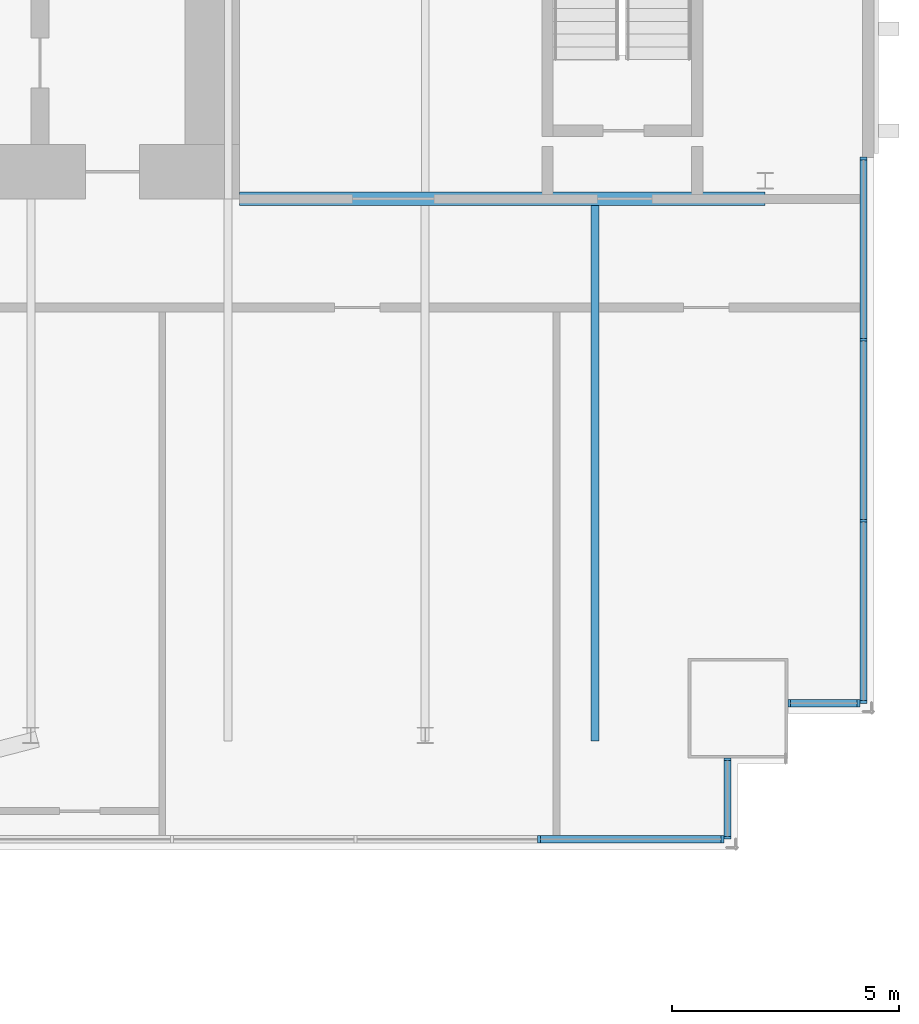
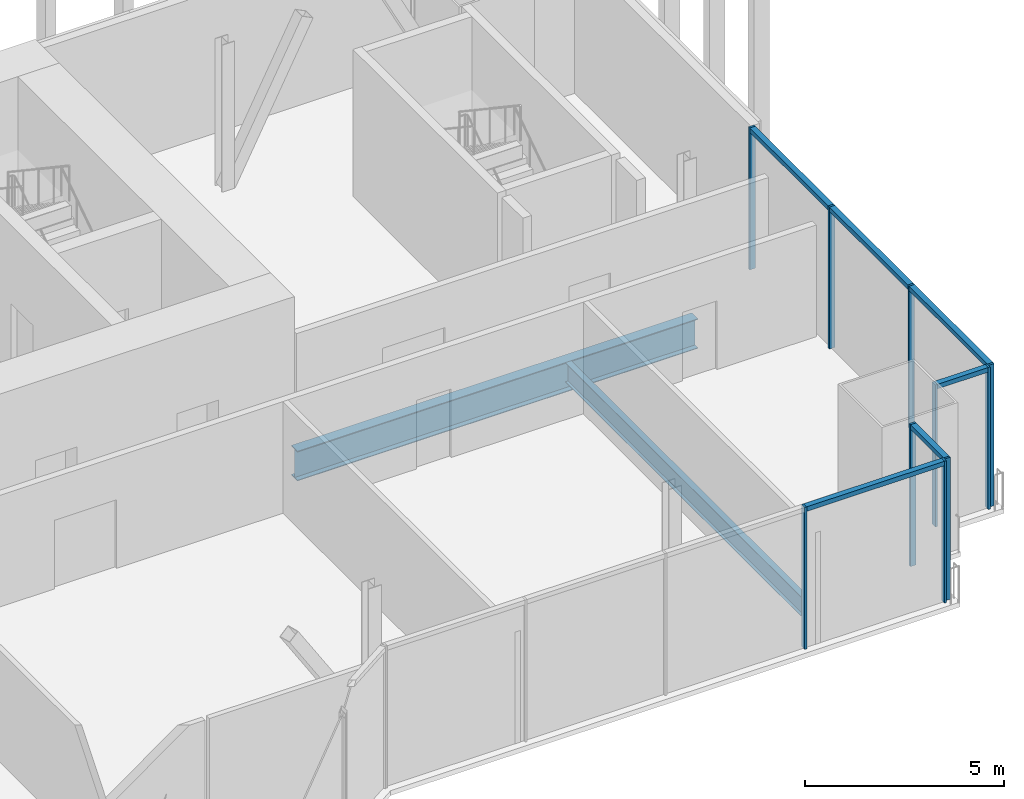
# One storey, part 12 of 22: 16 members, 2 beams, 4 elements without a shape of their own.
"""IFC4 building model written with IfcOpenShell, lengths in metres."""

from ifc_helpers import new_model, si_unit, direction, frame, origin, origin_2d, place, context, subcontext, project, spatial, rectangle, i_section, extrude, material, material_profile, profile_set, type_object, element, aggregate, save


model = new_model("IFC4")

# Units and contexts
model_context = context("Model", 3, precision=1e-05, world=origin(), true_north=direction((0.0, 1.0)))
body_context = subcontext(model_context, "Body", "Model", "MODEL_VIEW")
ifc_project = project(units=[si_unit("LENGTHUNIT", "METRE"), si_unit("AREAUNIT", "SQUARE_METRE"), si_unit("VOLUMEUNIT", "CUBIC_METRE"), si_unit("PLANEANGLEUNIT", "RADIAN"), si_unit("MASSUNIT", "GRAM", prefix="KILO")], contexts=[model_context])

# Site, building, storey
site_placement = place(None, origin())
site = spatial("IfcSite", under=ifc_project, at=site_placement, CompositionType="ELEMENT")
building_placement = place(site_placement, origin())
building = spatial("IfcBuilding", under=site, at=building_placement, Name="Bicima Exchange Tower", CompositionType="ELEMENT")
storey_placement = place(building_placement, frame((0.0, 0.0, 293.0)))
storey = spatial("IfcBuildingStorey", under=building, at=storey_placement, Name="L66", CompositionType="ELEMENT", Elevation=293.0)

# Beam
ifc_material_1 = material(Name="Steel ASTM A992 Gr 50", Category="steel")
ifc_material_profile_1 = material_profile(ifc_material_1, i_section(OverallWidth=0.3046875, OverallDepth=0.911865234375, WebThickness=0.015869140625, FlangeThickness=0.02392578125, at=origin_2d()))
ifc_profile_set_1 = profile_set([ifc_material_profile_1], Name="Steel ASTM A992 Gr 50")
beam_type_1 = type_object("IfcBeamType", Name="Core-line girder W36x150", PredefinedType="BEAM", material=ifc_profile_set_1)
beam_1_placement = place(storey_placement, frame((22.0, -13.0, -0.60595703125), z_axis=(1.0, 0.0, 0.0), x_axis=(0.0, 1.0, 0.0)))
element("IfcBeam", 1, at=beam_1_placement, inside=storey, type_object=beam_type_1, Name="Core-line girder", PredefinedType="BEAM", context=body_context, shape_type="SweptSolid", body=[
    extrude(i_section(OverallWidth=0.3046875, OverallDepth=0.911865234375, WebThickness=0.015869140625, FlangeThickness=0.02392578125, at=origin_2d()), origin(), (0.0, 0.0, 1.0), 11.60009765625),
])

# Curtain wall, members
ifc_material_2 = material(Name="Anodised bronze aluminium", Category="aluminium")
curtain_wall_type_1 = type_object("IfcCurtainWallType", Name="End face glass wall", PredefinedType="NOTDEFINED", material=ifc_material_2)
curtain_wall_1_placement = place(storey_placement, origin())
curtain_wall_1 = element("IfcCurtainWall", 2, at=curtain_wall_1_placement, inside=storey, type_object=curtain_wall_type_1, Name="End face glass wall L66 run 19", PredefinedType="NOTDEFINED")
ifc_material_profile_2 = material_profile(ifc_material_2, rectangle(XDim=0.159912109375, YDim=0.06005859375, at=origin_2d()))
ifc_profile_set_2 = profile_set([ifc_material_profile_2], Name="Anodised bronze aluminium")
member_type_1 = type_object("IfcMemberType", Name="End face glass wall mullion 60 x 160", PredefinedType="MULLION", material=ifc_profile_set_2)
member_1_placement = place(storey_placement, frame((35.77001953125, -24.10009765625, 0.0), z_axis=(0.0, 0.0, 1.0), x_axis=(-1.0, 0.0, 0.0)))
member_1 = element("IfcMember", 3, at=member_1_placement, type_object=member_type_1, Name="End face glass wall mullion 1", PredefinedType="MULLION", context=body_context, shape_type="SweptSolid", body=[
    extrude(rectangle(XDim=0.159912109375, YDim=0.06005859375, at=origin_2d()), origin(), (0.0, 0.0, 1.0), 4.35009765625),
])
member_2_placement = place(storey_placement, frame((35.77001953125, -20.103271484375, 0.0), z_axis=(0.0, 0.0, 1.0), x_axis=(-1.0, 0.0, 0.0)))
member_2 = element("IfcMember", 4, at=member_2_placement, type_object=member_type_1, Name="End face glass wall mullion 2", PredefinedType="MULLION", context=body_context, shape_type="SweptSolid", body=[
    extrude(rectangle(XDim=0.159912109375, YDim=0.06005859375, at=origin_2d()), origin(), (0.0, 0.0, 1.0), 4.35009765625),
])
member_3_placement = place(storey_placement, frame((35.77001953125, -16.106689453125, 0.0), z_axis=(0.0, 0.0, 1.0), x_axis=(-1.0, 0.0, 0.0)))
member_3 = element("IfcMember", 5, at=member_3_placement, type_object=member_type_1, Name="End face glass wall mullion 3", PredefinedType="MULLION", context=body_context, shape_type="SweptSolid", body=[
    extrude(rectangle(XDim=0.159912109375, YDim=0.06005859375, at=origin_2d()), origin(), (0.0, 0.0, 1.0), 4.35009765625),
])
member_4_placement = place(storey_placement, frame((35.77001953125, -12.110107421875, 0.0), z_axis=(0.0, 0.0, 1.0), x_axis=(-1.0, 0.0, 0.0)))
member_4 = element("IfcMember", 6, at=member_4_placement, type_object=member_type_1, Name="End face glass wall mullion 4", PredefinedType="MULLION", context=body_context, shape_type="SweptSolid", body=[
    extrude(rectangle(XDim=0.159912109375, YDim=0.06005859375, at=origin_2d()), origin(), (0.0, 0.0, 1.0), 4.35009765625),
])
ifc_material_profile_3 = material_profile(ifc_material_2, rectangle(XDim=0.159912109375, YDim=0.139892578125, at=origin_2d()))
ifc_profile_set_3 = profile_set([ifc_material_profile_3], Name="Anodised bronze aluminium")
member_type_2 = type_object("IfcMemberType", Name="End face glass wall transom 140 x 160", PredefinedType="USERDEFINED", material=ifc_profile_set_3)
member_5_placement = place(storey_placement, frame((35.77001953125, -24.070068359375, 4.280029296875), z_axis=(0.0, 1.0, 0.0), x_axis=(-1.0, 0.0, 0.0)))
member_5 = element("IfcMember", 7, at=member_5_placement, type_object=member_type_2, Name="End face glass wall transom 1.1", ObjectType="TRANSOM", PredefinedType="USERDEFINED", context=body_context, shape_type="SweptSolid", body=[
    extrude(rectangle(XDim=0.159912109375, YDim=0.139892578125, at=origin_2d()), origin(), (0.0, 0.0, 1.0), 3.936767578125),
])
member_6_placement = place(storey_placement, frame((35.77001953125, -20.0732421875, 4.280029296875), z_axis=(0.0, 1.0, 0.0), x_axis=(-1.0, 0.0, 0.0)))
member_6 = element("IfcMember", 8, at=member_6_placement, type_object=member_type_2, Name="End face glass wall transom 2.1", ObjectType="TRANSOM", PredefinedType="USERDEFINED", context=body_context, shape_type="SweptSolid", body=[
    extrude(rectangle(XDim=0.159912109375, YDim=0.139892578125, at=origin_2d()), origin(), (0.0, 0.0, 1.0), 3.9365234375),
])
member_7_placement = place(storey_placement, frame((35.77001953125, -16.07666015625, 4.280029296875), z_axis=(0.0, 1.0, 0.0), x_axis=(-1.0, 0.0, 0.0)))
member_7 = element("IfcMember", 9, at=member_7_placement, type_object=member_type_2, Name="End face glass wall transom 3.1", ObjectType="TRANSOM", PredefinedType="USERDEFINED", context=body_context, shape_type="SweptSolid", body=[
    extrude(rectangle(XDim=0.159912109375, YDim=0.139892578125, at=origin_2d()), origin(), (0.0, 0.0, 1.0), 3.936767578125),
])
aggregate(curtain_wall_1, [member_1, member_2, member_3, member_4, member_5, member_6, member_7])

# Beam
ifc_material_profile_4 = material_profile(ifc_material_1, i_section(OverallWidth=0.177978515625, OverallDepth=0.599365234375, WebThickness=0.010009765625, FlangeThickness=0.012939453125, at=origin_2d()))
ifc_profile_set_4 = profile_set([ifc_material_profile_4], Name="Steel ASTM A992 Gr 50")
beam_type_2 = type_object("IfcBeamType", Name="Floor beam W24x55", PredefinedType="JOIST", material=ifc_profile_set_4)
beam_2_placement = place(storey_placement, frame((29.85009765625, -13.15234375, -0.44970703125), z_axis=(0.0, -1.0, 0.0), x_axis=(1.0, 0.0, 0.0)))
element("IfcBeam", 10, at=beam_2_placement, inside=storey, type_object=beam_type_2, Name="Floor beam", PredefinedType="JOIST", context=body_context, shape_type="SweptSolid", body=[
    extrude(i_section(OverallWidth=0.177978515625, OverallDepth=0.599365234375, WebThickness=0.010009765625, FlangeThickness=0.012939453125, at=origin_2d()), origin(), (0.0, 0.0, 1.0), 11.8076171875),
])

# Curtain wall, members
curtain_wall_type_2 = type_object("IfcCurtainWallType", Name="Front glass wall", PredefinedType="NOTDEFINED", material=ifc_material_2)
curtain_wall_2_placement = place(storey_placement, origin())
curtain_wall_2 = element("IfcCurtainWall", 11, at=curtain_wall_2_placement, inside=storey, type_object=curtain_wall_type_2, Name="Front glass wall L66 run 16", PredefinedType="NOTDEFINED")
member_type_3 = type_object("IfcMemberType", Name="Front glass wall mullion 60 x 160", PredefinedType="MULLION", material=ifc_profile_set_2)
member_8_placement = place(storey_placement, frame((28.610595703125, -27.1298828125, 0.0), z_axis=(0.0, 0.0, 1.0), x_axis=(0.0, 1.0, 0.0)))
member_8 = element("IfcMember", 12, at=member_8_placement, type_object=member_type_3, Name="Front glass wall mullion 4", PredefinedType="MULLION", context=body_context, shape_type="SweptSolid", body=[
    extrude(rectangle(XDim=0.159912109375, YDim=0.06005859375, at=origin_2d()), origin(), (0.0, 0.0, 1.0), 4.35009765625),
])
member_9_placement = place(storey_placement, frame((32.659912109375, -27.1298828125, 0.0), z_axis=(0.0, 0.0, 1.0), x_axis=(0.0, 1.0, 0.0)))
member_9 = element("IfcMember", 13, at=member_9_placement, type_object=member_type_3, Name="Front glass wall mullion 5", PredefinedType="MULLION", context=body_context, shape_type="SweptSolid", body=[
    extrude(rectangle(XDim=0.159912109375, YDim=0.06005859375, at=origin_2d()), origin(), (0.0, 0.0, 1.0), 4.35009765625),
])

curtain_wall_3_placement = place(storey_placement, origin())
curtain_wall_3 = element("IfcCurtainWall", 14, at=curtain_wall_3_placement, inside=storey, type_object=curtain_wall_type_2, Name="Front glass wall L66 run 17", PredefinedType="NOTDEFINED")
member_10_placement = place(storey_placement, frame((32.77001953125, -27.10009765625, 0.0), z_axis=(0.0, 0.0, 1.0), x_axis=(-1.0, 0.0, 0.0)))
member_10 = element("IfcMember", 15, at=member_10_placement, type_object=member_type_3, Name="Front glass wall mullion 1", PredefinedType="MULLION", context=body_context, shape_type="SweptSolid", body=[
    extrude(rectangle(XDim=0.159912109375, YDim=0.06005859375, at=origin_2d()), origin(), (0.0, 0.0, 1.0), 4.35009765625),
])
member_11_placement = place(storey_placement, frame((32.77001953125, -25.367919921875, 0.0), z_axis=(0.0, 0.0, 1.0), x_axis=(-1.0, 0.0, 0.0)))
member_11 = element("IfcMember", 16, at=member_11_placement, type_object=member_type_3, Name="Front glass wall mullion 2", PredefinedType="MULLION", context=body_context, shape_type="SweptSolid", body=[
    extrude(rectangle(XDim=0.159912109375, YDim=0.06005859375, at=origin_2d()), origin(), (0.0, 0.0, 1.0), 4.35009765625),
])

curtain_wall_4_placement = place(storey_placement, origin())
curtain_wall_4 = element("IfcCurtainWall", 17, at=curtain_wall_4_placement, inside=storey, type_object=curtain_wall_type_2, Name="Front glass wall L66 run 18", PredefinedType="NOTDEFINED")
member_12_placement = place(storey_placement, frame((34.1298828125, -24.1298828125, 0.0), z_axis=(0.0, 0.0, 1.0), x_axis=(0.0, 1.0, 0.0)))
member_12 = element("IfcMember", 18, at=member_12_placement, type_object=member_type_3, Name="Front glass wall mullion 1", PredefinedType="MULLION", context=body_context, shape_type="SweptSolid", body=[
    extrude(rectangle(XDim=0.159912109375, YDim=0.06005859375, at=origin_2d()), origin(), (0.0, 0.0, 1.0), 4.35009765625),
])
member_13_placement = place(storey_placement, frame((35.659912109375, -24.1298828125, 0.0), z_axis=(0.0, 0.0, 1.0), x_axis=(0.0, 1.0, 0.0)))
member_13 = element("IfcMember", 19, at=member_13_placement, type_object=member_type_3, Name="Front glass wall mullion 2", PredefinedType="MULLION", context=body_context, shape_type="SweptSolid", body=[
    extrude(rectangle(XDim=0.159912109375, YDim=0.06005859375, at=origin_2d()), origin(), (0.0, 0.0, 1.0), 4.35009765625),
])

# Member
member_type_4 = type_object("IfcMemberType", Name="Front glass wall transom 140 x 160", PredefinedType="USERDEFINED", material=ifc_profile_set_3)
member_14_placement = place(storey_placement, frame((28.640380859375, -27.1298828125, 4.280029296875), z_axis=(1.0, 0.0, 0.0), x_axis=(0.0, 1.0, 0.0)))
member_14 = element("IfcMember", 20, at=member_14_placement, type_object=member_type_4, Name="Front glass wall transom 4.1", ObjectType="TRANSOM", PredefinedType="USERDEFINED", context=body_context, shape_type="SweptSolid", body=[
    extrude(rectangle(XDim=0.159912109375, YDim=0.139892578125, at=origin_2d()), origin(), (0.0, 0.0, 1.0), 3.989501953125),
])

aggregate(curtain_wall_2, [member_8, member_9, member_14])

member_15_placement = place(storey_placement, frame((32.77001953125, -27.070068359375, 4.280029296875), z_axis=(0.0, 1.0, 0.0), x_axis=(-1.0, 0.0, 0.0)))
member_15 = element("IfcMember", 21, at=member_15_placement, type_object=member_type_4, Name="Front glass wall transom 1.1", ObjectType="TRANSOM", PredefinedType="USERDEFINED", context=body_context, shape_type="SweptSolid", body=[
    extrude(rectangle(XDim=0.159912109375, YDim=0.139892578125, at=origin_2d()), origin(), (0.0, 0.0, 1.0), 1.672119140625),
])

aggregate(curtain_wall_3, [member_10, member_11, member_15])

member_16_placement = place(storey_placement, frame((34.159912109375, -24.1298828125, 4.280029296875), z_axis=(1.0, 0.0, 0.0), x_axis=(0.0, 1.0, 0.0)))
member_16 = element("IfcMember", 22, at=member_16_placement, type_object=member_type_4, Name="Front glass wall transom 1.1", ObjectType="TRANSOM", PredefinedType="USERDEFINED", context=body_context, shape_type="SweptSolid", body=[
    extrude(rectangle(XDim=0.159912109375, YDim=0.139892578125, at=origin_2d()), origin(), (0.0, 0.0, 1.0), 1.469970703125),
])

aggregate(curtain_wall_4, [member_12, member_13, member_16])

save(model, "model.ifc")
